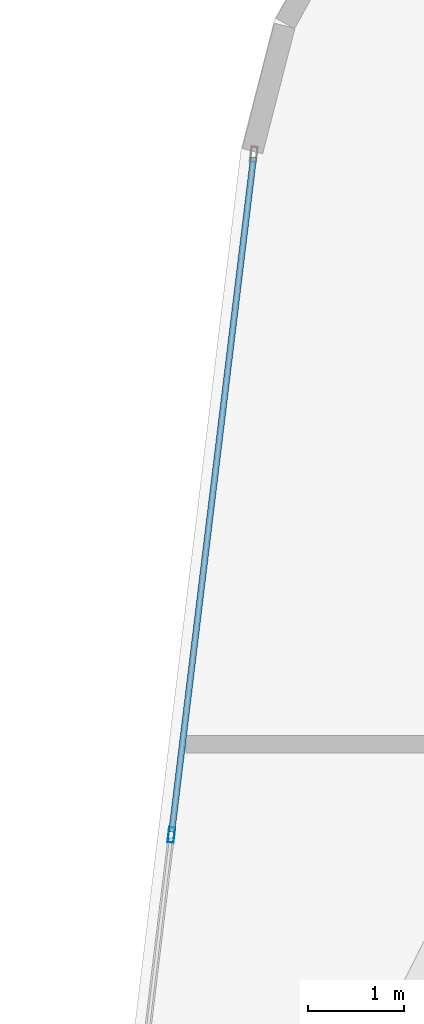
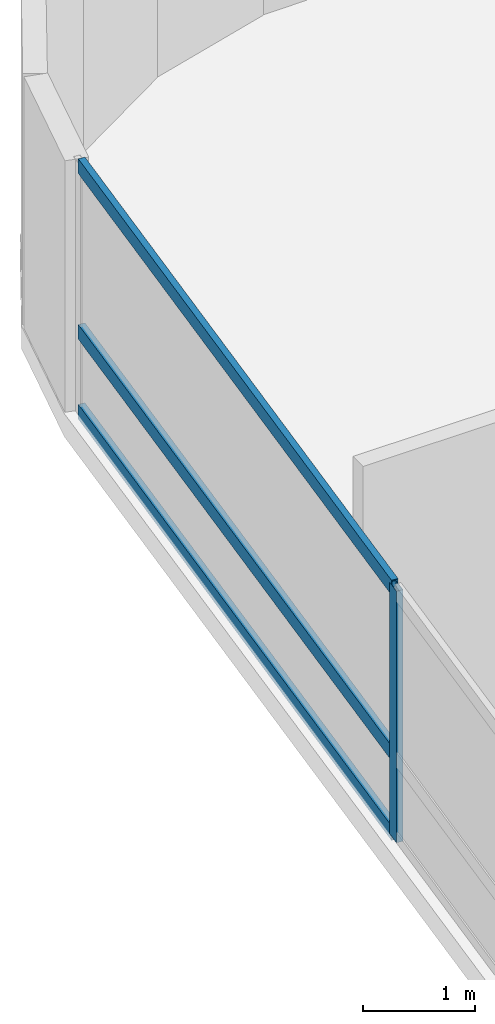
# One storey, part 10 of 25: 4 members, 1 element without a shape of its own.
"""IFC4 building model written with IfcOpenShell, lengths in metres."""

from ifc_helpers import new_model, si_unit, direction, frame, origin, origin_2d, place, context, subcontext, project, spatial, hollow_rectangle, extrude, material, layer, layer_set, material_profile, profile_set, type_object, element, aggregate, save


model = new_model("IFC4")

# Units and contexts
model_context = context("Model", 3, precision=1e-05, world=origin(), true_north=direction((0.0, 1.0)))
body_context = subcontext(model_context, "Body", "Model", "MODEL_VIEW")
ifc_project = project(units=[si_unit("LENGTHUNIT", "METRE"), si_unit("AREAUNIT", "SQUARE_METRE"), si_unit("VOLUMEUNIT", "CUBIC_METRE"), si_unit("PLANEANGLEUNIT", "RADIAN"), si_unit("MASSUNIT", "GRAM", prefix="KILO")], contexts=[model_context])

# Site, building, storey
site_placement = place(None, origin())
site = spatial("IfcSite", under=ifc_project, at=site_placement, CompositionType="ELEMENT")
building_placement = place(site_placement, origin())
building = spatial("IfcBuilding", under=site, at=building_placement, Name="Varnelok Gate Tower", CompositionType="ELEMENT")
storey_placement = place(building_placement, frame((0.0, 0.0, 136.5)))
storey = spatial("IfcBuildingStorey", under=building, at=storey_placement, Name="L34", CompositionType="ELEMENT", Elevation=136.5)

# Curtain wall, members
ifc_material = material(Name="Anodized Aluminum Alloy 6063-T6", Category="aluminium")
ifc_layer = layer(ifc_material, 0.179931640625)
ifc_layer_set = layer_set([ifc_layer], Name="Anodized Aluminum Alloy 6063-T6")
curtain_wall_type = type_object("IfcCurtainWallType", Name="CW3-HOTEL-VISION", PredefinedType="USERDEFINED", material=ifc_layer_set)
curtain_wall_placement = place(storey_placement, origin())
curtain_wall = element("IfcCurtainWall", 1, at=curtain_wall_placement, inside=storey, type_object=curtain_wall_type, Name="L34 West End Vision Curtain Wall", ObjectType="UNITISED CURTAIN WALL", PredefinedType="USERDEFINED")
ifc_material_profile_1 = material_profile(ifc_material, hollow_rectangle(XDim=0.06494140625, YDim=0.159912109375, WallThickness=0.00390625, at=origin_2d()), Name="ALU160X65X4")
ifc_profile_set_1 = profile_set([ifc_material_profile_1], Name="Anodized Aluminum Alloy 6063-T6")
member_type_1 = type_object("IfcMemberType", Name="CW-MULL-160", PredefinedType="MULLION", material=ifc_profile_set_1)
member_1_placement = place(storey_placement, frame((3.708984375, 40.4814453125, 0.0), z_axis=(0.0, 0.0, 1.0), x_axis=(-0.99273188146, 0.120347046212, 0.0)))
member_1 = element("IfcMember", 2, at=member_1_placement, type_object=member_type_1, Name="CW3 mullion 5", PredefinedType="MULLION", context=body_context, shape_type="SweptSolid", body=[
    extrude(hollow_rectangle(XDim=0.06494140625, YDim=0.159912109375, WallThickness=0.00390625, at=origin_2d()), origin(), (0.0, 0.0, 1.0), 2.72998046875),
])
ifc_material_profile_2 = material_profile(ifc_material, hollow_rectangle(XDim=0.06494140625, YDim=0.159912109375, WallThickness=0.00390625, at=origin_2d()), Name="ALU160X65X4")
ifc_profile_set_2 = profile_set([ifc_material_profile_2], Name="Anodized Aluminum Alloy 6063-T6")
member_type_2 = type_object("IfcMemberType", Name="CW-TRAN-160", PredefinedType="USERDEFINED", material=ifc_profile_set_2)
member_2_placement = place(storey_placement, frame((3.712890625, 40.513671875, 0.032470703125), z_axis=(0.120374481497, 0.992728555147, 0.0), x_axis=(-0.992728555147, 0.120374481497, 0.0)))
member_2 = element("IfcMember", 3, at=member_2_placement, type_object=member_type_2, Name="CW3 transom 5.1", ObjectType="TRANSOM", PredefinedType="USERDEFINED", context=body_context, shape_type="SweptSolid", body=[
    extrude(hollow_rectangle(XDim=0.06494140625, YDim=0.159912109375, WallThickness=0.00390625, at=origin_2d()), origin(), (0.0, 0.0, 1.0), 7.102783203125),
])
member_3_placement = place(storey_placement, frame((3.712890625, 40.513671875, 0.89990234375), z_axis=(0.120374481497, 0.992728555147, 0.0), x_axis=(-0.992728555147, 0.120374481497, 0.0)))
member_3 = element("IfcMember", 4, at=member_3_placement, type_object=member_type_2, Name="CW3 transom 5.2", ObjectType="TRANSOM", PredefinedType="USERDEFINED", context=body_context, shape_type="SweptSolid", body=[
    extrude(hollow_rectangle(XDim=0.06494140625, YDim=0.159912109375, WallThickness=0.00390625, at=origin_2d()), origin(), (0.0, 0.0, 1.0), 7.102783203125),
])
member_4_placement = place(storey_placement, frame((3.712890625, 40.513671875, 2.697509765625), z_axis=(0.120374481497, 0.992728555147, 0.0), x_axis=(-0.992728555147, 0.120374481497, 0.0)))
member_4 = element("IfcMember", 5, at=member_4_placement, type_object=member_type_2, Name="CW3 transom 5.3", ObjectType="TRANSOM", PredefinedType="USERDEFINED", context=body_context, shape_type="SweptSolid", body=[
    extrude(hollow_rectangle(XDim=0.06494140625, YDim=0.159912109375, WallThickness=0.00390625, at=origin_2d()), origin(), (0.0, 0.0, 1.0), 7.102783203125),
])
aggregate(curtain_wall, [member_1, member_2, member_3, member_4])

save(model, "model.ifc")
